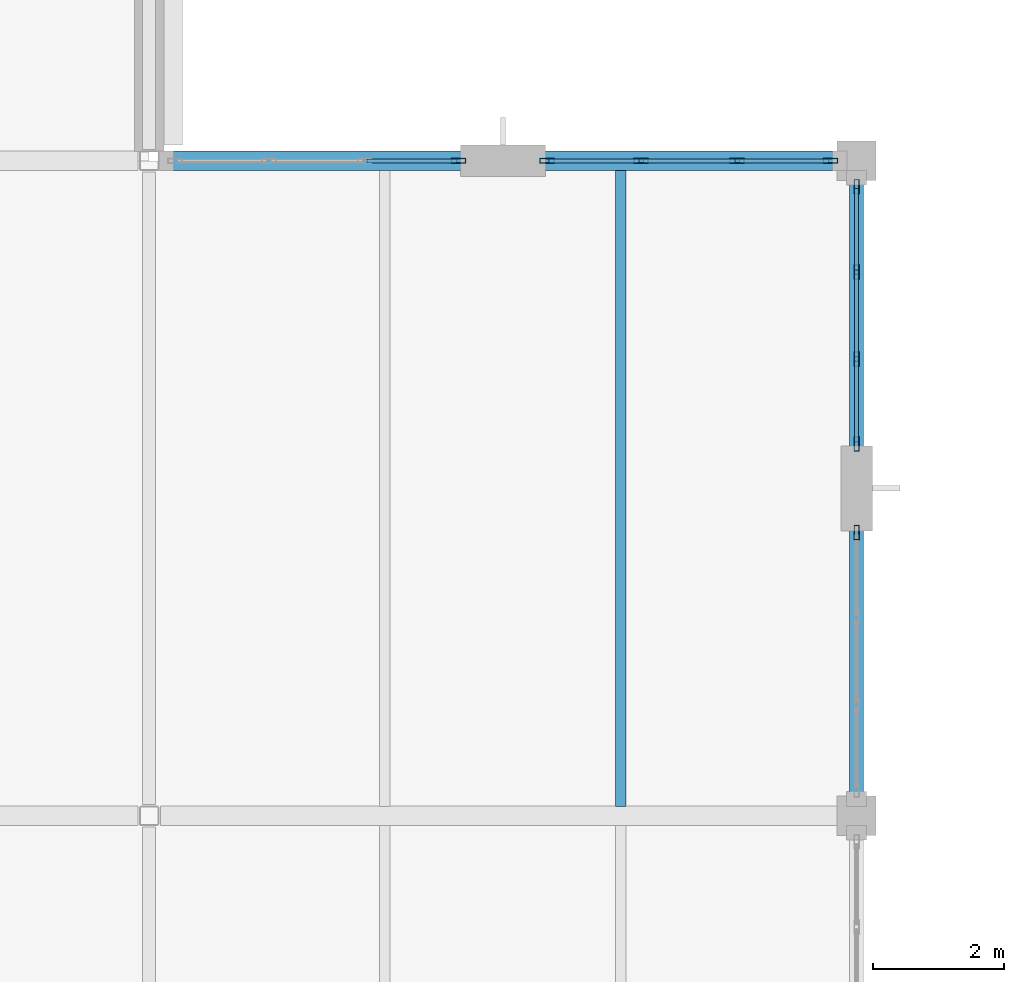
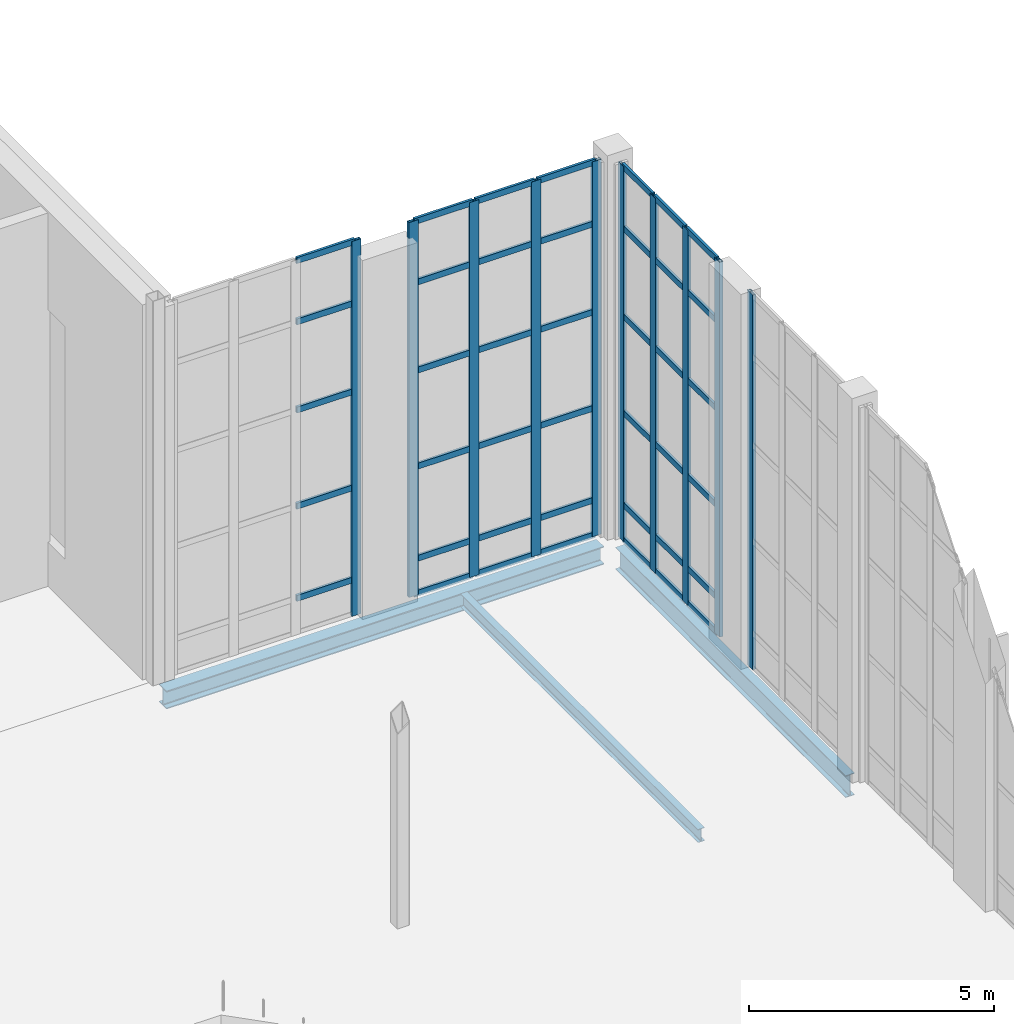
# One storey, part 43 of 100: 51 members, 3 beams, 4 elements without a shape of their own.
"""IFC4 building model written with IfcOpenShell, lengths in metres."""

import ifcopenshell
import ifcopenshell.guid

model = None  # the IFC model being written
_history = None  # IfcOwnerHistory: only IFC2X3 demands one
_inside = {}  # id of a spatial element -> (the spatial element, [elements in it])
_under = {}  # id of a project, library or spatial element -> (it, [spatial elements below it])
_declared = {}  # id of a project -> (the project, [libraries it declares])
_typed = {}  # id of a type object -> (the type object, [elements of that type])
_made_of = {}  # id of a material, layer set ... -> (it, [elements and type objects made of it])


def new_model(schema):
    """Start an empty IFC model of exactly this schema.

    Asked for "IFC4X3", IfcOpenShell would pick the latest addendum, in which some entities
    have other attributes; the version numbers below select the first issue.
    IFC2X3 requires an IfcOwnerHistory on every rooted entity: one is made here for all.
    """
    global model, _history
    if schema == "IFC4X3":
        model = ifcopenshell.file(schema_version=(4, 3, 0, 0))
    else:
        model = ifcopenshell.file(schema=schema)
    _inside.clear()
    _under.clear()
    _declared.clear()
    _typed.clear()
    _made_of.clear()
    _history = None
    if model.schema == "IFC2X3":
        org = make("IfcOrganization", Name="unknown")
        user = make(
            "IfcPersonAndOrganization",
            ThePerson=make("IfcPerson", FamilyName="unknown"),
            TheOrganization=org,
        )
        app = make(
            "IfcApplication",
            ApplicationDeveloper=org,
            Version="unknown",
            ApplicationFullName="unknown",
            ApplicationIdentifier="unknown",
        )
        _history = make(
            "IfcOwnerHistory",
            OwningUser=user,
            OwningApplication=app,
            ChangeAction="ADDED",
            CreationDate=0,
        )
    return model


def make(cls, **values):
    """One entity of the class cls with the attributes given. An attribute that is None is left unset."""
    return model.create_entity(
        cls, **{name: value for name, value in values.items() if value is not None}
    )


def rooted(cls, **values):
    """An entity with a GlobalId (a new one), such as an element, a storey or a relation."""
    return make(cls, GlobalId=ifcopenshell.guid.new(), OwnerHistory=_history, **values)


def si_unit(unit_type, name, prefix=None):
    """IfcSIUnit, for example si_unit("LENGTHUNIT", "METRE", prefix="MILLI")."""
    return make("IfcSIUnit", UnitType=unit_type, Prefix=prefix, Name=name)


def assignment(units):
    """IfcUnitAssignment: the units of a project."""
    return None if units is None else make("IfcUnitAssignment", Units=units)


def point(xyz):
    """IfcCartesianPoint."""
    return None if xyz is None else make("IfcCartesianPoint", Coordinates=xyz)


def direction(xyz):
    """IfcDirection."""
    return None if xyz is None else make("IfcDirection", DirectionRatios=xyz)


def frame(location, z_axis=None, x_axis=None):
    """IfcAxis2Placement3D, a coordinate frame: its origin and axes. An axis left out is left unset."""
    return make(
        "IfcAxis2Placement3D",
        Location=point(location),
        Axis=direction(z_axis),
        RefDirection=direction(x_axis),
    )


def frame_2d(location, x_axis=None):
    """IfcAxis2Placement2D, a coordinate frame in the plane: its origin and x axis."""
    return make(
        "IfcAxis2Placement2D", Location=point(location), RefDirection=direction(x_axis)
    )


def origin():
    """The frame at (0, 0, 0) with its axes left unset."""
    return frame((0.0, 0.0, 0.0))


def origin_2d():
    """The frame at (0, 0) in the plane with its x axis left unset."""
    return frame_2d((0.0, 0.0))


def place(relative_to, where):
    """IfcLocalPlacement: puts the frame where relative to a parent placement (None: the world)."""
    return make(
        "IfcLocalPlacement", PlacementRelTo=relative_to, RelativePlacement=where
    )


def context(
    kind, dimensions, precision=None, world=None, true_north=None, identifier=None
):
    """IfcGeometricRepresentationContext, for example the 3D "Model" context."""
    return make(
        "IfcGeometricRepresentationContext",
        ContextIdentifier=identifier,
        ContextType=kind,
        CoordinateSpaceDimension=dimensions,
        Precision=precision,
        WorldCoordinateSystem=world,
        TrueNorth=true_north,
    )


def subcontext(parent, identifier, kind, view, scale=None):
    """IfcGeometricRepresentationSubContext, for example "Body" below "Model"."""
    return make(
        "IfcGeometricRepresentationSubContext",
        ContextIdentifier=identifier,
        ContextType=kind,
        ParentContext=parent,
        TargetScale=scale,
        TargetView=view,
    )


def project(units=None, contexts=None):
    """IfcProject with its units and contexts."""
    return rooted(
        "IfcProject",
        Name="project",
        RepresentationContexts=contexts,
        UnitsInContext=assignment(units),
    )


def spatial(cls, under=None, at=None, **own):
    """A site, building, storey or space (cls), placed at a placement, below another one or the project."""
    s = rooted(cls, ObjectPlacement=at, **own)
    if under is not None:
        _under.setdefault(under.id(), (under, []))[1].append(s)
    return s


def profile(cls, at=None, kind="AREA", **sizes):
    """A parametric profile (cls). Its sizes go by their IFC names, for example OverallWidth=200.0."""
    return make(cls, ProfileType=kind, Position=at, **sizes)


def hollow_rectangle(**sizes):
    """IfcRectangleHollowProfileDef."""
    return profile("IfcRectangleHollowProfileDef", **sizes)


def i_section(**sizes):
    """IfcIShapeProfileDef."""
    return profile("IfcIShapeProfileDef", **sizes)


def extrude(swept, where, along, depth):
    """IfcExtrudedAreaSolid: the profile swept, set in the frame where, extruded along a direction by depth."""
    return make(
        "IfcExtrudedAreaSolid",
        SweptArea=swept,
        Position=where,
        ExtrudedDirection=direction(along),
        Depth=depth,
    )


def shape(context_of_items, identifier, shape_type, items):
    """IfcShapeRepresentation: the items that make up one representation, for example the "Body"."""
    return make(
        "IfcShapeRepresentation",
        ContextOfItems=context_of_items,
        RepresentationIdentifier=identifier,
        RepresentationType=shape_type,
        Items=items,
    )


def material(Name=None, Category=None):
    """IfcMaterial."""
    return make("IfcMaterial", Name=Name, Category=Category)


def layer(
    of_material, thickness, ventilated=None, Name=None, Category=None, Priority=None
):
    """IfcMaterialLayer: one layer of a wall or slab, of a material (None: an air gap)."""
    return make(
        "IfcMaterialLayer",
        Material=of_material,
        LayerThickness=thickness,
        IsVentilated=ventilated,
        Name=Name,
        Category=Category,
        Priority=Priority,
    )


def layer_set(layers, Name=None):
    """IfcMaterialLayerSet."""
    return make("IfcMaterialLayerSet", MaterialLayers=layers, LayerSetName=Name)


def material_profile(
    of_material, cross_section, Name=None, Category=None, Priority=None
):
    """IfcMaterialProfile: a cross section and its material."""
    return make(
        "IfcMaterialProfile",
        Name=Name,
        Material=of_material,
        Profile=cross_section,
        Priority=Priority,
        Category=Category,
    )


def profile_set(profiles, Name=None, composite=None):
    """IfcMaterialProfileSet."""
    return make(
        "IfcMaterialProfileSet",
        Name=Name,
        MaterialProfiles=profiles,
        CompositeProfile=composite,
    )


def made_of(thing, what):
    """Note that an element or type object is made of a material, layer set ...; save() writes the relation."""
    if what is not None:
        _made_of.setdefault(what.id(), (what, []))[1].append(thing)
    return thing


def type_object(cls, material=None, **own):
    """A type object (cls), such as IfcWallType, which elements share."""
    return made_of(rooted(cls, **own), material)


def element(
    cls,
    number,
    at=None,
    inside=None,
    cuts=None,
    type_object=None,
    material=None,
    context=None,
    identifier="Body",
    shape_type=None,
    held_by="IfcProductDefinitionShape",
    body=None,
    shapes=None,
    **own,
):
    """One element of the class cls, such as IfcWall. Its Tag is "e" and its number.

    at: its placement. inside: the storey or other place that contains it. cuts: it is an
    opening in that element (IfcRelVoidsElement). A single representation is given by context,
    identifier, shape_type and body (its items); several are given by shapes. held_by: the class
    of the entity that holds the representations. save() writes the other relations.
    """
    e = rooted(cls, Tag="e%d" % number, ObjectPlacement=at, **own)
    if body is not None:
        shapes = [shape(context, identifier, shape_type, body)]
    if shapes is not None:
        e.Representation = make(held_by, Representations=shapes)
    if inside is not None:
        _inside.setdefault(inside.id(), (inside, []))[1].append(e)
    if cuts is not None:
        rooted(
            "IfcRelVoidsElement", RelatingBuildingElement=cuts, RelatedOpeningElement=e
        )
    if type_object is not None:
        _typed.setdefault(type_object.id(), (type_object, []))[1].append(e)
    return made_of(e, material)


def aggregate(whole, parts):
    """IfcRelAggregates: a whole, such as a stair, and the parts it consists of."""
    return rooted("IfcRelAggregates", RelatingObject=whole, RelatedObjects=parts)


def save(model, path):
    """Write the relations noted so far, then the file.

    IfcRelAggregates (storeys below a building ...), IfcRelContainedInSpatialStructure (elements
    in a storey), IfcRelDefinesByType, IfcRelAssociatesMaterial and IfcRelDeclares: one each for
    every whole, place, type object, material and project.
    """
    for whole, parts in _under.values():
        aggregate(whole, parts)
    for where, things in _inside.values():
        rooted(
            "IfcRelContainedInSpatialStructure",
            RelatedElements=things,
            RelatingStructure=where,
        )
    for kind, things in _typed.values():
        rooted("IfcRelDefinesByType", RelatedObjects=things, RelatingType=kind)
    for what, things in _made_of.values():
        rooted("IfcRelAssociatesMaterial", RelatedObjects=things, RelatingMaterial=what)
    for by, libraries in _declared.values():
        rooted("IfcRelDeclares", RelatingContext=by, RelatedDefinitions=libraries)
    model.write(path)


model = new_model("IFC4")

# Units and contexts
model_context = context("Model", 3, precision=1e-05, world=origin(), true_north=direction((0.0, 1.0)))
body_context = subcontext(model_context, "Body", "Model", "MODEL_VIEW")
ifc_project = project(units=[si_unit("LENGTHUNIT", "METRE"), si_unit("AREAUNIT", "SQUARE_METRE"), si_unit("VOLUMEUNIT", "CUBIC_METRE"), si_unit("PLANEANGLEUNIT", "RADIAN"), si_unit("MASSUNIT", "GRAM", prefix="KILO")], contexts=[model_context])

# Site, building, storey
site_placement = place(None, origin())
site = spatial("IfcSite", under=ifc_project, at=site_placement, CompositionType="ELEMENT")
building_placement = place(site_placement, origin())
building = spatial("IfcBuilding", under=site, at=building_placement, Name="Tasgan Crest Museum", CompositionType="ELEMENT")
storey_placement = place(building_placement, frame((0.0, 0.0, 14.39990234375)))
storey = spatial("IfcBuildingStorey", under=building, at=storey_placement, Name="L03", CompositionType="ELEMENT", Elevation=14.39990234375)

# Beams
ifc_material_1 = material(Name="Steel S355J2", Category="steel")
ifc_material_profile_1 = material_profile(ifc_material_1, i_section(OverallWidth=0.300048828125, OverallDepth=0.449951171875, WebThickness=0.013916015625, FlangeThickness=0.02587890625, FilletRadius=0.027099609375, at=origin_2d()), Name="HEB 450")
ifc_profile_set_1 = profile_set([ifc_material_profile_1], Name="Steel S355J2")
beam_type_1 = type_object("IfcBeamType", Name="BM-G-HEB450", PredefinedType="BEAM", material=ifc_profile_set_1)
beam_1_placement = place(storey_placement, frame((97.373779296875, 82.0, -0.46484375), z_axis=(1.0, 0.0, 0.0), x_axis=(0.0, 1.0, 0.0)))
element("IfcBeam", 1, at=beam_1_placement, inside=storey, type_object=beam_type_1, Name="Girder L03 J 97.2-108.0", PredefinedType="BEAM", context=body_context, shape_type="SweptSolid", body=[
    extrude(i_section(OverallWidth=0.300048828125, OverallDepth=0.449951171875, WebThickness=0.013916015625, FlangeThickness=0.02587890625, FilletRadius=0.027099609375, at=origin_2d()), origin(), (0.0, 0.0, 1.0), 10.330322265625),
])
ifc_material_2 = material(Name="Steel S355J2", Category="steel")
ifc_material_profile_2 = material_profile(ifc_material_2, i_section(OverallWidth=0.2099609375, OverallDepth=0.550048828125, WebThickness=0.010986328125, FlangeThickness=0.01708984375, FilletRadius=0.02392578125, at=origin_2d()), Name="IPE 550")
ifc_profile_set_2 = profile_set([ifc_material_profile_2], Name="Steel S355J2")
beam_type_2 = type_object("IfcBeamType", Name="BM-G-IPE550", PredefinedType="BEAM", material=ifc_profile_set_2)
beam_2_placement = place(storey_placement, frame((108.0, 72.294921875, -0.514892578125), z_axis=(0.0, 1.0, 0.0), x_axis=(-1.0, 0.0, 0.0)))
element("IfcBeam", 2, at=beam_2_placement, inside=storey, type_object=beam_type_2, Name="Beam L03 11 72.0-82.0", PredefinedType="BEAM", context=body_context, shape_type="SweptSolid", body=[
    extrude(i_section(OverallWidth=0.2099609375, OverallDepth=0.550048828125, WebThickness=0.010986328125, FlangeThickness=0.01708984375, FilletRadius=0.02392578125, at=origin_2d()), origin(), (0.0, 0.0, 1.0), 9.41015625),
])
ifc_material_3 = material(Name="Steel S355J2", Category="steel")
ifc_material_profile_3 = material_profile(ifc_material_3, i_section(OverallWidth=0.159912109375, OverallDepth=0.330078125, WebThickness=0.007568359375, FlangeThickness=0.011474609375, FilletRadius=0.01806640625, at=origin_2d()), Name="IPE 330")
ifc_profile_set_3 = profile_set([ifc_material_profile_3], Name="Steel S355J2")
beam_type_3 = type_object("IfcBeamType", Name="BM-J-IPE330", PredefinedType="JOIST", material=ifc_profile_set_3)
beam_3_placement = place(storey_placement, frame((104.39990234375, 72.14501953125, -0.40478515625), z_axis=(0.0, 1.0, 0.0), x_axis=(-1.0, 0.0, 0.0)))
element("IfcBeam", 3, at=beam_3_placement, inside=storey, type_object=beam_type_3, Name="Secondary joist L03 X=104.4 Y=72.0-82.0", PredefinedType="JOIST", context=body_context, shape_type="SweptSolid", body=[
    extrude(i_section(OverallWidth=0.159912109375, OverallDepth=0.330078125, WebThickness=0.007568359375, FlangeThickness=0.011474609375, FilletRadius=0.01806640625, at=origin_2d()), origin(), (0.0, 0.0, 1.0), 9.7099609375),
])

# Curtain wall, member
ifc_material_4 = material(Name="Triple-Glazed Aluminium Curtain Wall", Category="aluminium")
ifc_layer_1 = layer(ifc_material_4, 0.179931640625, Name="CW-DRUM-Y10-96")
ifc_layer_set_1 = layer_set([ifc_layer_1], Name="Triple-Glazed Aluminium Curtain Wall")
curtain_wall_type_1 = type_object("IfcCurtainWallType", Name="CW-DRUM-Y10-96", PredefinedType="NOTDEFINED", material=ifc_layer_set_1)
curtain_wall_1_placement = place(storey_placement, origin())
curtain_wall_1 = element("IfcCurtainWall", 4, at=curtain_wall_1_placement, inside=storey, type_object=curtain_wall_type_1, Name="Curtain wall L03 121", PredefinedType="NOTDEFINED")
ifc_material_5 = material(Name="Anodised Aluminium", Category="aluminium")
ifc_material_profile_4 = material_profile(ifc_material_5, hollow_rectangle(XDim=0.074951171875, YDim=0.219970703125, WallThickness=0.006103515625, at=origin_2d()), Name="ALU MULLION 220x75x6")
ifc_profile_set_4 = profile_set([ifc_material_profile_4], Name="Anodised Aluminium")
member_type_1 = type_object("IfcMemberType", Name="CW-MULLION-220", PredefinedType="MULLION", material=ifc_profile_set_4)
member_1_placement = place(storey_placement, frame((108.0, 76.324951171875, 0.0), z_axis=(0.0, 0.0, 1.0), x_axis=(-1.0, 0.0, 0.0)))
member_1 = element("IfcMember", 5, at=member_1_placement, type_object=member_type_1, Name="CW07 mullion 4", PredefinedType="MULLION", context=body_context, shape_type="SweptSolid", body=[
    extrude(hollow_rectangle(XDim=0.074951171875, YDim=0.219970703125, WallThickness=0.006103515625, at=origin_2d()), origin(), (0.0, 0.0, 1.0), 9.360107421875),
])
aggregate(curtain_wall_1, [member_1])

# Curtain wall, members
curtain_wall_2_placement = place(storey_placement, origin())
curtain_wall_2 = element("IfcCurtainWall", 6, at=curtain_wall_2_placement, inside=storey, type_object=curtain_wall_type_1, Name="Curtain wall L03 122", PredefinedType="NOTDEFINED")
member_2_placement = place(storey_placement, frame((108.0, 77.675048828125, 0.0), z_axis=(0.0, 0.0, 1.0), x_axis=(-1.0, 0.0, 0.0)))
member_2 = element("IfcMember", 7, at=member_2_placement, type_object=member_type_1, Name="CW07 mullion 1", PredefinedType="MULLION", context=body_context, shape_type="SweptSolid", body=[
    extrude(hollow_rectangle(XDim=0.074951171875, YDim=0.219970703125, WallThickness=0.006103515625, at=origin_2d()), origin(), (0.0, 0.0, 1.0), 9.360107421875),
])
member_3_placement = place(storey_placement, frame((108.0, 78.97509765625, 0.0), z_axis=(0.0, 0.0, 1.0), x_axis=(-1.0, 0.0, 0.0)))
member_3 = element("IfcMember", 8, at=member_3_placement, type_object=member_type_1, Name="CW07 mullion 2", PredefinedType="MULLION", context=body_context, shape_type="SweptSolid", body=[
    extrude(hollow_rectangle(XDim=0.074951171875, YDim=0.219970703125, WallThickness=0.006103515625, at=origin_2d()), origin(), (0.0, 0.0, 1.0), 9.360107421875),
])
member_4_placement = place(storey_placement, frame((108.0, 80.304931640625, 0.0), z_axis=(0.0, 0.0, 1.0), x_axis=(-1.0, 0.0, 0.0)))
member_4 = element("IfcMember", 9, at=member_4_placement, type_object=member_type_1, Name="CW07 mullion 3", PredefinedType="MULLION", context=body_context, shape_type="SweptSolid", body=[
    extrude(hollow_rectangle(XDim=0.074951171875, YDim=0.219970703125, WallThickness=0.006103515625, at=origin_2d()), origin(), (0.0, 0.0, 1.0), 9.360107421875),
])
member_5_placement = place(storey_placement, frame((108.0, 81.60498046875, 0.0), z_axis=(0.0, 0.0, 1.0), x_axis=(-1.0, 0.0, 0.0)))
member_5 = element("IfcMember", 10, at=member_5_placement, type_object=member_type_1, Name="CW07 mullion 4", PredefinedType="MULLION", context=body_context, shape_type="SweptSolid", body=[
    extrude(hollow_rectangle(XDim=0.074951171875, YDim=0.219970703125, WallThickness=0.006103515625, at=origin_2d()), origin(), (0.0, 0.0, 1.0), 9.360107421875),
])

ifc_material_6 = material(Name="Triple-Glazed Aluminium Curtain Wall", Category="aluminium")
ifc_layer_2 = layer(ifc_material_6, 0.179931640625, Name="CW-DRUM-X-96")
ifc_layer_set_2 = layer_set([ifc_layer_2], Name="Triple-Glazed Aluminium Curtain Wall")
curtain_wall_type_2 = type_object("IfcCurtainWallType", Name="CW-DRUM-X-96", PredefinedType="NOTDEFINED", material=ifc_layer_set_2)
curtain_wall_3_placement = place(storey_placement, origin())
curtain_wall_3 = element("IfcCurtainWall", 11, at=curtain_wall_3_placement, inside=storey, type_object=curtain_wall_type_2, Name="Curtain wall L03 123", PredefinedType="NOTDEFINED")
member_6_placement = place(storey_placement, frame((107.60498046875, 82.0, 0.0), z_axis=(0.0, 0.0, 1.0), x_axis=(0.0, -1.0, 0.0)))
member_6 = element("IfcMember", 12, at=member_6_placement, type_object=member_type_1, Name="CW06 mullion 1", PredefinedType="MULLION", context=body_context, shape_type="SweptSolid", body=[
    extrude(hollow_rectangle(XDim=0.074951171875, YDim=0.219970703125, WallThickness=0.006103515625, at=origin_2d()), origin(), (0.0, 0.0, 1.0), 9.360107421875),
])
member_7_placement = place(storey_placement, frame((106.171630859375, 82.0, 0.0), z_axis=(0.0, 0.0, 1.0), x_axis=(0.0, -1.0, 0.0)))
member_7 = element("IfcMember", 13, at=member_7_placement, type_object=member_type_1, Name="CW06 mullion 2", PredefinedType="MULLION", context=body_context, shape_type="SweptSolid", body=[
    extrude(hollow_rectangle(XDim=0.074951171875, YDim=0.219970703125, WallThickness=0.006103515625, at=origin_2d()), origin(), (0.0, 0.0, 1.0), 9.360107421875),
])
member_8_placement = place(storey_placement, frame((104.708251953125, 82.0, 0.0), z_axis=(0.0, 0.0, 1.0), x_axis=(0.0, -1.0, 0.0)))
member_8 = element("IfcMember", 14, at=member_8_placement, type_object=member_type_1, Name="CW06 mullion 3", PredefinedType="MULLION", context=body_context, shape_type="SweptSolid", body=[
    extrude(hollow_rectangle(XDim=0.074951171875, YDim=0.219970703125, WallThickness=0.006103515625, at=origin_2d()), origin(), (0.0, 0.0, 1.0), 9.360107421875),
])
member_9_placement = place(storey_placement, frame((103.27490234375, 82.0, 0.0), z_axis=(0.0, 0.0, 1.0), x_axis=(0.0, -1.0, 0.0)))
member_9 = element("IfcMember", 15, at=member_9_placement, type_object=member_type_1, Name="CW06 mullion 4", PredefinedType="MULLION", context=body_context, shape_type="SweptSolid", body=[
    extrude(hollow_rectangle(XDim=0.074951171875, YDim=0.219970703125, WallThickness=0.006103515625, at=origin_2d()), origin(), (0.0, 0.0, 1.0), 9.360107421875),
])

# Curtain wall, member
curtain_wall_4_placement = place(storey_placement, origin())
curtain_wall_4 = element("IfcCurtainWall", 16, at=curtain_wall_4_placement, inside=storey, type_object=curtain_wall_type_2, Name="Curtain wall L03 124", PredefinedType="NOTDEFINED")
member_10_placement = place(storey_placement, frame((101.925048828125, 82.0, 0.0), z_axis=(0.0, 0.0, 1.0), x_axis=(0.0, -1.0, 0.0)))
member_10 = element("IfcMember", 17, at=member_10_placement, type_object=member_type_1, Name="CW06 mullion 1", PredefinedType="MULLION", context=body_context, shape_type="SweptSolid", body=[
    extrude(hollow_rectangle(XDim=0.074951171875, YDim=0.219970703125, WallThickness=0.006103515625, at=origin_2d()), origin(), (0.0, 0.0, 1.0), 9.360107421875),
])

# Member
ifc_material_7 = material(Name="Anodised Aluminium", Category="aluminium")
ifc_material_profile_5 = material_profile(ifc_material_7, hollow_rectangle(XDim=0.06005859375, YDim=0.14990234375, WallThickness=0.0048828125, at=origin_2d()), Name="ALU TRANSOM 150x60x5")
ifc_profile_set_5 = profile_set([ifc_material_profile_5], Name="Anodised Aluminium")
member_type_2 = type_object("IfcMemberType", Name="CW-TRANSOM-150", PredefinedType="USERDEFINED", material=ifc_profile_set_5)
member_11_placement = place(storey_placement, frame((108.0, 77.705078125, 0.030029296875), z_axis=(0.0, 1.0, 0.0), x_axis=(-1.0, 0.0, 0.0)))
member_11 = element("IfcMember", 18, at=member_11_placement, type_object=member_type_2, Name="CW07 transom 1.1", ObjectType="TRANSOM", PredefinedType="USERDEFINED", context=body_context, shape_type="SweptSolid", body=[
    extrude(hollow_rectangle(XDim=0.06005859375, YDim=0.14990234375, WallThickness=0.0048828125, at=origin_2d()), origin(), (0.0, 0.0, 1.0), 1.239990234375),
])

member_12_placement = place(storey_placement, frame((108.0, 77.705078125, 0.900146484375), z_axis=(0.0, 1.0, 0.0), x_axis=(-1.0, 0.0, 0.0)))
member_12 = element("IfcMember", 19, at=member_12_placement, type_object=member_type_2, Name="CW07 transom 1.2", ObjectType="TRANSOM", PredefinedType="USERDEFINED", context=body_context, shape_type="SweptSolid", body=[
    extrude(hollow_rectangle(XDim=0.06005859375, YDim=0.14990234375, WallThickness=0.0048828125, at=origin_2d()), origin(), (0.0, 0.0, 1.0), 1.239990234375),
])

member_13_placement = place(storey_placement, frame((108.0, 77.705078125, 3.2001953125), z_axis=(0.0, 1.0, 0.0), x_axis=(-1.0, 0.0, 0.0)))
member_13 = element("IfcMember", 20, at=member_13_placement, type_object=member_type_2, Name="CW07 transom 1.3", ObjectType="TRANSOM", PredefinedType="USERDEFINED", context=body_context, shape_type="SweptSolid", body=[
    extrude(hollow_rectangle(XDim=0.06005859375, YDim=0.14990234375, WallThickness=0.0048828125, at=origin_2d()), origin(), (0.0, 0.0, 1.0), 1.239990234375),
])

member_14_placement = place(storey_placement, frame((108.0, 77.705078125, 5.60009765625), z_axis=(0.0, 1.0, 0.0), x_axis=(-1.0, 0.0, 0.0)))
member_14 = element("IfcMember", 21, at=member_14_placement, type_object=member_type_2, Name="CW07 transom 1.4", ObjectType="TRANSOM", PredefinedType="USERDEFINED", context=body_context, shape_type="SweptSolid", body=[
    extrude(hollow_rectangle(XDim=0.06005859375, YDim=0.14990234375, WallThickness=0.0048828125, at=origin_2d()), origin(), (0.0, 0.0, 1.0), 1.239990234375),
])

member_15_placement = place(storey_placement, frame((108.0, 77.705078125, 7.800048828125), z_axis=(0.0, 1.0, 0.0), x_axis=(-1.0, 0.0, 0.0)))
member_15 = element("IfcMember", 22, at=member_15_placement, type_object=member_type_2, Name="CW07 transom 1.5", ObjectType="TRANSOM", PredefinedType="USERDEFINED", context=body_context, shape_type="SweptSolid", body=[
    extrude(hollow_rectangle(XDim=0.06005859375, YDim=0.14990234375, WallThickness=0.0048828125, at=origin_2d()), origin(), (0.0, 0.0, 1.0), 1.239990234375),
])

member_16_placement = place(storey_placement, frame((108.0, 77.705078125, 9.330078125), z_axis=(0.0, 1.0, 0.0), x_axis=(-1.0, 0.0, 0.0)))
member_16 = element("IfcMember", 23, at=member_16_placement, type_object=member_type_2, Name="CW07 transom 1.6", ObjectType="TRANSOM", PredefinedType="USERDEFINED", context=body_context, shape_type="SweptSolid", body=[
    extrude(hollow_rectangle(XDim=0.06005859375, YDim=0.14990234375, WallThickness=0.0048828125, at=origin_2d()), origin(), (0.0, 0.0, 1.0), 1.239990234375),
])

member_17_placement = place(storey_placement, frame((108.0, 79.0048828125, 0.030029296875), z_axis=(0.0, 1.0, 0.0), x_axis=(-1.0, 0.0, 0.0)))
member_17 = element("IfcMember", 24, at=member_17_placement, type_object=member_type_2, Name="CW07 transom 2.1", ObjectType="TRANSOM", PredefinedType="USERDEFINED", context=body_context, shape_type="SweptSolid", body=[
    extrude(hollow_rectangle(XDim=0.06005859375, YDim=0.14990234375, WallThickness=0.0048828125, at=origin_2d()), origin(), (0.0, 0.0, 1.0), 1.27001953125),
])

member_18_placement = place(storey_placement, frame((108.0, 79.0048828125, 0.900146484375), z_axis=(0.0, 1.0, 0.0), x_axis=(-1.0, 0.0, 0.0)))
member_18 = element("IfcMember", 25, at=member_18_placement, type_object=member_type_2, Name="CW07 transom 2.2", ObjectType="TRANSOM", PredefinedType="USERDEFINED", context=body_context, shape_type="SweptSolid", body=[
    extrude(hollow_rectangle(XDim=0.06005859375, YDim=0.14990234375, WallThickness=0.0048828125, at=origin_2d()), origin(), (0.0, 0.0, 1.0), 1.27001953125),
])

member_19_placement = place(storey_placement, frame((108.0, 79.0048828125, 3.2001953125), z_axis=(0.0, 1.0, 0.0), x_axis=(-1.0, 0.0, 0.0)))
member_19 = element("IfcMember", 26, at=member_19_placement, type_object=member_type_2, Name="CW07 transom 2.3", ObjectType="TRANSOM", PredefinedType="USERDEFINED", context=body_context, shape_type="SweptSolid", body=[
    extrude(hollow_rectangle(XDim=0.06005859375, YDim=0.14990234375, WallThickness=0.0048828125, at=origin_2d()), origin(), (0.0, 0.0, 1.0), 1.27001953125),
])

member_20_placement = place(storey_placement, frame((108.0, 79.0048828125, 5.60009765625), z_axis=(0.0, 1.0, 0.0), x_axis=(-1.0, 0.0, 0.0)))
member_20 = element("IfcMember", 27, at=member_20_placement, type_object=member_type_2, Name="CW07 transom 2.4", ObjectType="TRANSOM", PredefinedType="USERDEFINED", context=body_context, shape_type="SweptSolid", body=[
    extrude(hollow_rectangle(XDim=0.06005859375, YDim=0.14990234375, WallThickness=0.0048828125, at=origin_2d()), origin(), (0.0, 0.0, 1.0), 1.27001953125),
])

member_21_placement = place(storey_placement, frame((108.0, 79.0048828125, 7.800048828125), z_axis=(0.0, 1.0, 0.0), x_axis=(-1.0, 0.0, 0.0)))
member_21 = element("IfcMember", 28, at=member_21_placement, type_object=member_type_2, Name="CW07 transom 2.5", ObjectType="TRANSOM", PredefinedType="USERDEFINED", context=body_context, shape_type="SweptSolid", body=[
    extrude(hollow_rectangle(XDim=0.06005859375, YDim=0.14990234375, WallThickness=0.0048828125, at=origin_2d()), origin(), (0.0, 0.0, 1.0), 1.27001953125),
])

member_22_placement = place(storey_placement, frame((108.0, 79.0048828125, 9.330078125), z_axis=(0.0, 1.0, 0.0), x_axis=(-1.0, 0.0, 0.0)))
member_22 = element("IfcMember", 29, at=member_22_placement, type_object=member_type_2, Name="CW07 transom 2.6", ObjectType="TRANSOM", PredefinedType="USERDEFINED", context=body_context, shape_type="SweptSolid", body=[
    extrude(hollow_rectangle(XDim=0.06005859375, YDim=0.14990234375, WallThickness=0.0048828125, at=origin_2d()), origin(), (0.0, 0.0, 1.0), 1.27001953125),
])

member_23_placement = place(storey_placement, frame((108.0, 80.3349609375, 0.030029296875), z_axis=(0.0, 1.0, 0.0), x_axis=(-1.0, 0.0, 0.0)))
member_23 = element("IfcMember", 30, at=member_23_placement, type_object=member_type_2, Name="CW07 transom 3.1", ObjectType="TRANSOM", PredefinedType="USERDEFINED", context=body_context, shape_type="SweptSolid", body=[
    extrude(hollow_rectangle(XDim=0.06005859375, YDim=0.14990234375, WallThickness=0.0048828125, at=origin_2d()), origin(), (0.0, 0.0, 1.0), 1.239990234375),
])

member_24_placement = place(storey_placement, frame((108.0, 80.3349609375, 0.900146484375), z_axis=(0.0, 1.0, 0.0), x_axis=(-1.0, 0.0, 0.0)))
member_24 = element("IfcMember", 31, at=member_24_placement, type_object=member_type_2, Name="CW07 transom 3.2", ObjectType="TRANSOM", PredefinedType="USERDEFINED", context=body_context, shape_type="SweptSolid", body=[
    extrude(hollow_rectangle(XDim=0.06005859375, YDim=0.14990234375, WallThickness=0.0048828125, at=origin_2d()), origin(), (0.0, 0.0, 1.0), 1.239990234375),
])

member_25_placement = place(storey_placement, frame((108.0, 80.3349609375, 3.2001953125), z_axis=(0.0, 1.0, 0.0), x_axis=(-1.0, 0.0, 0.0)))
member_25 = element("IfcMember", 32, at=member_25_placement, type_object=member_type_2, Name="CW07 transom 3.3", ObjectType="TRANSOM", PredefinedType="USERDEFINED", context=body_context, shape_type="SweptSolid", body=[
    extrude(hollow_rectangle(XDim=0.06005859375, YDim=0.14990234375, WallThickness=0.0048828125, at=origin_2d()), origin(), (0.0, 0.0, 1.0), 1.239990234375),
])

member_26_placement = place(storey_placement, frame((108.0, 80.3349609375, 5.60009765625), z_axis=(0.0, 1.0, 0.0), x_axis=(-1.0, 0.0, 0.0)))
member_26 = element("IfcMember", 33, at=member_26_placement, type_object=member_type_2, Name="CW07 transom 3.4", ObjectType="TRANSOM", PredefinedType="USERDEFINED", context=body_context, shape_type="SweptSolid", body=[
    extrude(hollow_rectangle(XDim=0.06005859375, YDim=0.14990234375, WallThickness=0.0048828125, at=origin_2d()), origin(), (0.0, 0.0, 1.0), 1.239990234375),
])

member_27_placement = place(storey_placement, frame((108.0, 80.3349609375, 7.800048828125), z_axis=(0.0, 1.0, 0.0), x_axis=(-1.0, 0.0, 0.0)))
member_27 = element("IfcMember", 34, at=member_27_placement, type_object=member_type_2, Name="CW07 transom 3.5", ObjectType="TRANSOM", PredefinedType="USERDEFINED", context=body_context, shape_type="SweptSolid", body=[
    extrude(hollow_rectangle(XDim=0.06005859375, YDim=0.14990234375, WallThickness=0.0048828125, at=origin_2d()), origin(), (0.0, 0.0, 1.0), 1.239990234375),
])

member_28_placement = place(storey_placement, frame((108.0, 80.3349609375, 9.330078125), z_axis=(0.0, 1.0, 0.0), x_axis=(-1.0, 0.0, 0.0)))
member_28 = element("IfcMember", 35, at=member_28_placement, type_object=member_type_2, Name="CW07 transom 3.6", ObjectType="TRANSOM", PredefinedType="USERDEFINED", context=body_context, shape_type="SweptSolid", body=[
    extrude(hollow_rectangle(XDim=0.06005859375, YDim=0.14990234375, WallThickness=0.0048828125, at=origin_2d()), origin(), (0.0, 0.0, 1.0), 1.239990234375),
])

aggregate(curtain_wall_2, [member_2, member_3, member_4, member_5, member_11, member_12, member_13, member_14, member_15, member_16, member_17, member_18, member_19, member_20, member_21, member_22, member_23, member_24, member_25, member_26, member_27, member_28])

member_29_placement = place(storey_placement, frame((107.574951171875, 82.0, 0.030029296875), z_axis=(-1.0, 0.0, 0.0), x_axis=(0.0, -1.0, 0.0)))
member_29 = element("IfcMember", 36, at=member_29_placement, type_object=member_type_2, Name="CW06 transom 1.1", ObjectType="TRANSOM", PredefinedType="USERDEFINED", context=body_context, shape_type="SweptSolid", body=[
    extrude(hollow_rectangle(XDim=0.06005859375, YDim=0.14990234375, WallThickness=0.0048828125, at=origin_2d()), origin(), (0.0, 0.0, 1.0), 1.373291015625),
])

member_30_placement = place(storey_placement, frame((107.574951171875, 82.0, 0.900146484375), z_axis=(-1.0, 0.0, 0.0), x_axis=(0.0, -1.0, 0.0)))
member_30 = element("IfcMember", 37, at=member_30_placement, type_object=member_type_2, Name="CW06 transom 1.2", ObjectType="TRANSOM", PredefinedType="USERDEFINED", context=body_context, shape_type="SweptSolid", body=[
    extrude(hollow_rectangle(XDim=0.06005859375, YDim=0.14990234375, WallThickness=0.0048828125, at=origin_2d()), origin(), (0.0, 0.0, 1.0), 1.373291015625),
])

member_31_placement = place(storey_placement, frame((107.574951171875, 82.0, 3.2001953125), z_axis=(-1.0, 0.0, 0.0), x_axis=(0.0, -1.0, 0.0)))
member_31 = element("IfcMember", 38, at=member_31_placement, type_object=member_type_2, Name="CW06 transom 1.3", ObjectType="TRANSOM", PredefinedType="USERDEFINED", context=body_context, shape_type="SweptSolid", body=[
    extrude(hollow_rectangle(XDim=0.06005859375, YDim=0.14990234375, WallThickness=0.0048828125, at=origin_2d()), origin(), (0.0, 0.0, 1.0), 1.373291015625),
])

member_32_placement = place(storey_placement, frame((107.574951171875, 82.0, 5.60009765625), z_axis=(-1.0, 0.0, 0.0), x_axis=(0.0, -1.0, 0.0)))
member_32 = element("IfcMember", 39, at=member_32_placement, type_object=member_type_2, Name="CW06 transom 1.4", ObjectType="TRANSOM", PredefinedType="USERDEFINED", context=body_context, shape_type="SweptSolid", body=[
    extrude(hollow_rectangle(XDim=0.06005859375, YDim=0.14990234375, WallThickness=0.0048828125, at=origin_2d()), origin(), (0.0, 0.0, 1.0), 1.373291015625),
])

member_33_placement = place(storey_placement, frame((107.574951171875, 82.0, 7.800048828125), z_axis=(-1.0, 0.0, 0.0), x_axis=(0.0, -1.0, 0.0)))
member_33 = element("IfcMember", 40, at=member_33_placement, type_object=member_type_2, Name="CW06 transom 1.5", ObjectType="TRANSOM", PredefinedType="USERDEFINED", context=body_context, shape_type="SweptSolid", body=[
    extrude(hollow_rectangle(XDim=0.06005859375, YDim=0.14990234375, WallThickness=0.0048828125, at=origin_2d()), origin(), (0.0, 0.0, 1.0), 1.373291015625),
])

member_34_placement = place(storey_placement, frame((107.574951171875, 82.0, 9.330078125), z_axis=(-1.0, 0.0, 0.0), x_axis=(0.0, -1.0, 0.0)))
member_34 = element("IfcMember", 41, at=member_34_placement, type_object=member_type_2, Name="CW06 transom 1.6", ObjectType="TRANSOM", PredefinedType="USERDEFINED", context=body_context, shape_type="SweptSolid", body=[
    extrude(hollow_rectangle(XDim=0.06005859375, YDim=0.14990234375, WallThickness=0.0048828125, at=origin_2d()), origin(), (0.0, 0.0, 1.0), 1.373291015625),
])

member_35_placement = place(storey_placement, frame((106.1416015625, 82.0, 0.030029296875), z_axis=(-1.0, 0.0, 0.0), x_axis=(0.0, -1.0, 0.0)))
member_35 = element("IfcMember", 42, at=member_35_placement, type_object=member_type_2, Name="CW06 transom 2.1", ObjectType="TRANSOM", PredefinedType="USERDEFINED", context=body_context, shape_type="SweptSolid", body=[
    extrude(hollow_rectangle(XDim=0.06005859375, YDim=0.14990234375, WallThickness=0.0048828125, at=origin_2d()), origin(), (0.0, 0.0, 1.0), 1.4033203125),
])

member_36_placement = place(storey_placement, frame((106.1416015625, 82.0, 0.900146484375), z_axis=(-1.0, 0.0, 0.0), x_axis=(0.0, -1.0, 0.0)))
member_36 = element("IfcMember", 43, at=member_36_placement, type_object=member_type_2, Name="CW06 transom 2.2", ObjectType="TRANSOM", PredefinedType="USERDEFINED", context=body_context, shape_type="SweptSolid", body=[
    extrude(hollow_rectangle(XDim=0.06005859375, YDim=0.14990234375, WallThickness=0.0048828125, at=origin_2d()), origin(), (0.0, 0.0, 1.0), 1.4033203125),
])

member_37_placement = place(storey_placement, frame((106.1416015625, 82.0, 3.2001953125), z_axis=(-1.0, 0.0, 0.0), x_axis=(0.0, -1.0, 0.0)))
member_37 = element("IfcMember", 44, at=member_37_placement, type_object=member_type_2, Name="CW06 transom 2.3", ObjectType="TRANSOM", PredefinedType="USERDEFINED", context=body_context, shape_type="SweptSolid", body=[
    extrude(hollow_rectangle(XDim=0.06005859375, YDim=0.14990234375, WallThickness=0.0048828125, at=origin_2d()), origin(), (0.0, 0.0, 1.0), 1.4033203125),
])

member_38_placement = place(storey_placement, frame((106.1416015625, 82.0, 5.60009765625), z_axis=(-1.0, 0.0, 0.0), x_axis=(0.0, -1.0, 0.0)))
member_38 = element("IfcMember", 45, at=member_38_placement, type_object=member_type_2, Name="CW06 transom 2.4", ObjectType="TRANSOM", PredefinedType="USERDEFINED", context=body_context, shape_type="SweptSolid", body=[
    extrude(hollow_rectangle(XDim=0.06005859375, YDim=0.14990234375, WallThickness=0.0048828125, at=origin_2d()), origin(), (0.0, 0.0, 1.0), 1.4033203125),
])

member_39_placement = place(storey_placement, frame((106.1416015625, 82.0, 7.800048828125), z_axis=(-1.0, 0.0, 0.0), x_axis=(0.0, -1.0, 0.0)))
member_39 = element("IfcMember", 46, at=member_39_placement, type_object=member_type_2, Name="CW06 transom 2.5", ObjectType="TRANSOM", PredefinedType="USERDEFINED", context=body_context, shape_type="SweptSolid", body=[
    extrude(hollow_rectangle(XDim=0.06005859375, YDim=0.14990234375, WallThickness=0.0048828125, at=origin_2d()), origin(), (0.0, 0.0, 1.0), 1.4033203125),
])

member_40_placement = place(storey_placement, frame((106.1416015625, 82.0, 9.330078125), z_axis=(-1.0, 0.0, 0.0), x_axis=(0.0, -1.0, 0.0)))
member_40 = element("IfcMember", 47, at=member_40_placement, type_object=member_type_2, Name="CW06 transom 2.6", ObjectType="TRANSOM", PredefinedType="USERDEFINED", context=body_context, shape_type="SweptSolid", body=[
    extrude(hollow_rectangle(XDim=0.06005859375, YDim=0.14990234375, WallThickness=0.0048828125, at=origin_2d()), origin(), (0.0, 0.0, 1.0), 1.4033203125),
])

member_41_placement = place(storey_placement, frame((104.67822265625, 82.0, 0.030029296875), z_axis=(-1.0, 0.0, 0.0), x_axis=(0.0, -1.0, 0.0)))
member_41 = element("IfcMember", 48, at=member_41_placement, type_object=member_type_2, Name="CW06 transom 3.1", ObjectType="TRANSOM", PredefinedType="USERDEFINED", context=body_context, shape_type="SweptSolid", body=[
    extrude(hollow_rectangle(XDim=0.06005859375, YDim=0.14990234375, WallThickness=0.0048828125, at=origin_2d()), origin(), (0.0, 0.0, 1.0), 1.373291015625),
])

member_42_placement = place(storey_placement, frame((104.67822265625, 82.0, 0.900146484375), z_axis=(-1.0, 0.0, 0.0), x_axis=(0.0, -1.0, 0.0)))
member_42 = element("IfcMember", 49, at=member_42_placement, type_object=member_type_2, Name="CW06 transom 3.2", ObjectType="TRANSOM", PredefinedType="USERDEFINED", context=body_context, shape_type="SweptSolid", body=[
    extrude(hollow_rectangle(XDim=0.06005859375, YDim=0.14990234375, WallThickness=0.0048828125, at=origin_2d()), origin(), (0.0, 0.0, 1.0), 1.373291015625),
])

member_43_placement = place(storey_placement, frame((104.67822265625, 82.0, 3.2001953125), z_axis=(-1.0, 0.0, 0.0), x_axis=(0.0, -1.0, 0.0)))
member_43 = element("IfcMember", 50, at=member_43_placement, type_object=member_type_2, Name="CW06 transom 3.3", ObjectType="TRANSOM", PredefinedType="USERDEFINED", context=body_context, shape_type="SweptSolid", body=[
    extrude(hollow_rectangle(XDim=0.06005859375, YDim=0.14990234375, WallThickness=0.0048828125, at=origin_2d()), origin(), (0.0, 0.0, 1.0), 1.373291015625),
])

member_44_placement = place(storey_placement, frame((104.67822265625, 82.0, 5.60009765625), z_axis=(-1.0, 0.0, 0.0), x_axis=(0.0, -1.0, 0.0)))
member_44 = element("IfcMember", 51, at=member_44_placement, type_object=member_type_2, Name="CW06 transom 3.4", ObjectType="TRANSOM", PredefinedType="USERDEFINED", context=body_context, shape_type="SweptSolid", body=[
    extrude(hollow_rectangle(XDim=0.06005859375, YDim=0.14990234375, WallThickness=0.0048828125, at=origin_2d()), origin(), (0.0, 0.0, 1.0), 1.373291015625),
])

member_45_placement = place(storey_placement, frame((104.67822265625, 82.0, 7.800048828125), z_axis=(-1.0, 0.0, 0.0), x_axis=(0.0, -1.0, 0.0)))
member_45 = element("IfcMember", 52, at=member_45_placement, type_object=member_type_2, Name="CW06 transom 3.5", ObjectType="TRANSOM", PredefinedType="USERDEFINED", context=body_context, shape_type="SweptSolid", body=[
    extrude(hollow_rectangle(XDim=0.06005859375, YDim=0.14990234375, WallThickness=0.0048828125, at=origin_2d()), origin(), (0.0, 0.0, 1.0), 1.373291015625),
])

member_46_placement = place(storey_placement, frame((104.67822265625, 82.0, 9.330078125), z_axis=(-1.0, 0.0, 0.0), x_axis=(0.0, -1.0, 0.0)))
member_46 = element("IfcMember", 53, at=member_46_placement, type_object=member_type_2, Name="CW06 transom 3.6", ObjectType="TRANSOM", PredefinedType="USERDEFINED", context=body_context, shape_type="SweptSolid", body=[
    extrude(hollow_rectangle(XDim=0.06005859375, YDim=0.14990234375, WallThickness=0.0048828125, at=origin_2d()), origin(), (0.0, 0.0, 1.0), 1.373291015625),
])

aggregate(curtain_wall_3, [member_6, member_7, member_8, member_9, member_29, member_30, member_31, member_32, member_33, member_34, member_35, member_36, member_37, member_38, member_39, member_40, member_41, member_42, member_43, member_44, member_45, member_46])

member_47_placement = place(storey_placement, frame((101.89501953125, 82.0, 0.900146484375), z_axis=(-1.0, 0.0, 0.0), x_axis=(0.0, -1.0, 0.0)))
member_47 = element("IfcMember", 54, at=member_47_placement, type_object=member_type_2, Name="CW06 transom 1.2", ObjectType="TRANSOM", PredefinedType="USERDEFINED", context=body_context, shape_type="SweptSolid", body=[
    extrude(hollow_rectangle(XDim=0.06005859375, YDim=0.14990234375, WallThickness=0.0048828125, at=origin_2d()), origin(), (0.0, 0.0, 1.0), 1.373291015625),
])

member_48_placement = place(storey_placement, frame((101.89501953125, 82.0, 3.2001953125), z_axis=(-1.0, 0.0, 0.0), x_axis=(0.0, -1.0, 0.0)))
member_48 = element("IfcMember", 55, at=member_48_placement, type_object=member_type_2, Name="CW06 transom 1.3", ObjectType="TRANSOM", PredefinedType="USERDEFINED", context=body_context, shape_type="SweptSolid", body=[
    extrude(hollow_rectangle(XDim=0.06005859375, YDim=0.14990234375, WallThickness=0.0048828125, at=origin_2d()), origin(), (0.0, 0.0, 1.0), 1.373291015625),
])

member_49_placement = place(storey_placement, frame((101.89501953125, 82.0, 5.60009765625), z_axis=(-1.0, 0.0, 0.0), x_axis=(0.0, -1.0, 0.0)))
member_49 = element("IfcMember", 56, at=member_49_placement, type_object=member_type_2, Name="CW06 transom 1.4", ObjectType="TRANSOM", PredefinedType="USERDEFINED", context=body_context, shape_type="SweptSolid", body=[
    extrude(hollow_rectangle(XDim=0.06005859375, YDim=0.14990234375, WallThickness=0.0048828125, at=origin_2d()), origin(), (0.0, 0.0, 1.0), 1.373291015625),
])

member_50_placement = place(storey_placement, frame((101.89501953125, 82.0, 7.800048828125), z_axis=(-1.0, 0.0, 0.0), x_axis=(0.0, -1.0, 0.0)))
member_50 = element("IfcMember", 57, at=member_50_placement, type_object=member_type_2, Name="CW06 transom 1.5", ObjectType="TRANSOM", PredefinedType="USERDEFINED", context=body_context, shape_type="SweptSolid", body=[
    extrude(hollow_rectangle(XDim=0.06005859375, YDim=0.14990234375, WallThickness=0.0048828125, at=origin_2d()), origin(), (0.0, 0.0, 1.0), 1.373291015625),
])

member_51_placement = place(storey_placement, frame((101.89501953125, 82.0, 9.330078125), z_axis=(-1.0, 0.0, 0.0), x_axis=(0.0, -1.0, 0.0)))
member_51 = element("IfcMember", 58, at=member_51_placement, type_object=member_type_2, Name="CW06 transom 1.6", ObjectType="TRANSOM", PredefinedType="USERDEFINED", context=body_context, shape_type="SweptSolid", body=[
    extrude(hollow_rectangle(XDim=0.06005859375, YDim=0.14990234375, WallThickness=0.0048828125, at=origin_2d()), origin(), (0.0, 0.0, 1.0), 1.373291015625),
])

aggregate(curtain_wall_4, [member_10, member_47, member_48, member_49, member_50, member_51])

save(model, "model.ifc")
